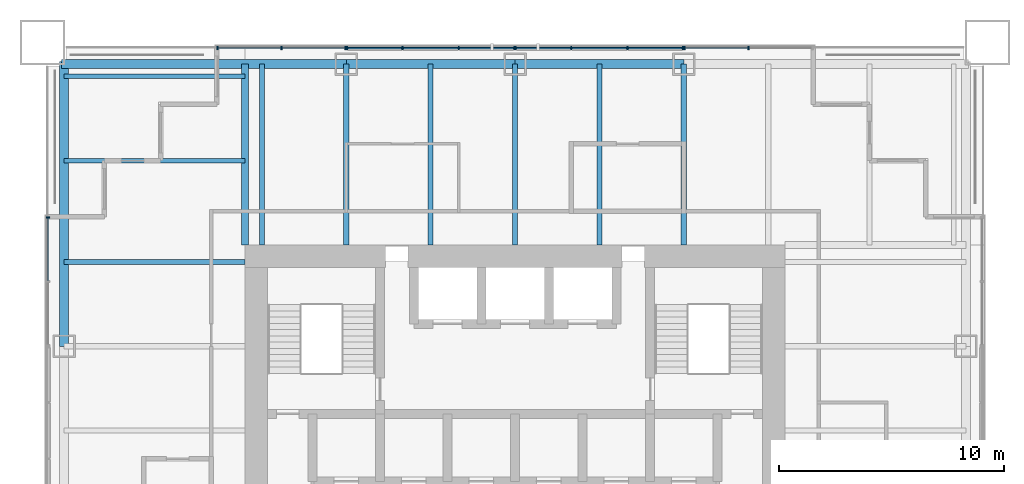
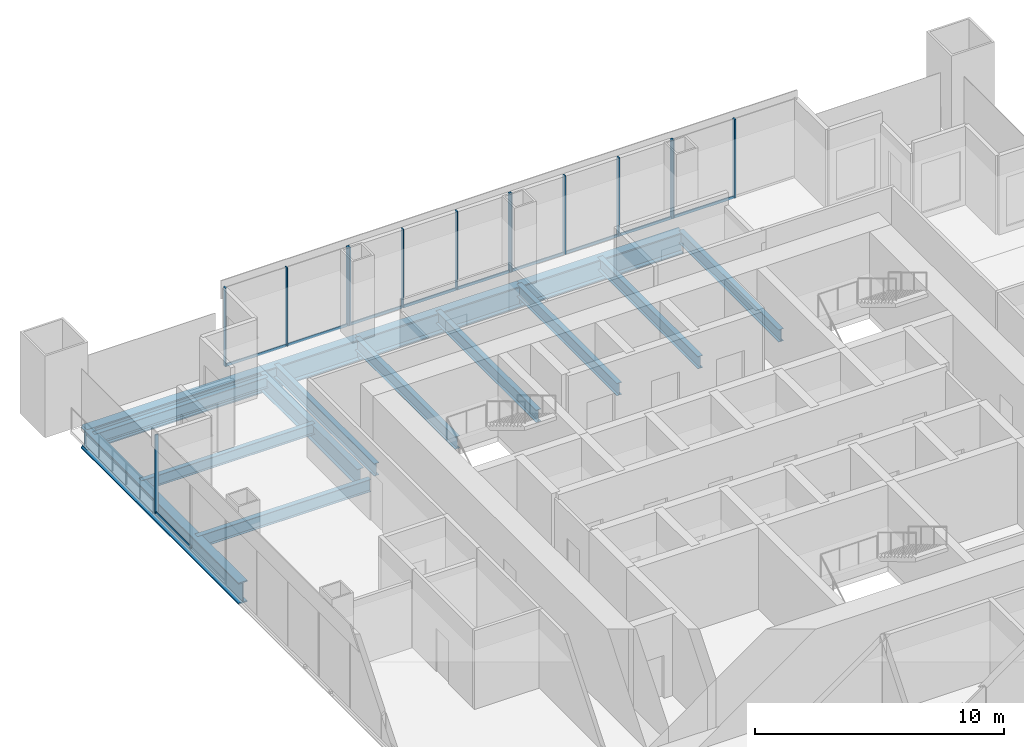
# One storey, part 6 of 14: 24 members, 14 beams, 5 elements without a shape of their own.
"""IFC4 building model written with IfcOpenShell, lengths in metres."""

from ifc_helpers import new_model, si_unit, direction, frame, origin, origin_2d, place, context, subcontext, project, spatial, rectangle, i_section, extrude, material, material_profile, profile_set, type_object, element, aggregate, save


model = new_model("IFC4")

# Units and contexts
model_context = context("Model", 3, precision=1e-05, world=origin(), true_north=direction((0.0, 1.0)))
body_context = subcontext(model_context, "Body", "Model", "MODEL_VIEW")
ifc_project = project(units=[si_unit("LENGTHUNIT", "METRE"), si_unit("AREAUNIT", "SQUARE_METRE"), si_unit("VOLUMEUNIT", "CUBIC_METRE"), si_unit("PLANEANGLEUNIT", "RADIAN"), si_unit("MASSUNIT", "GRAM", prefix="KILO")], contexts=[model_context])

# Site, building, storey
site_placement = place(None, origin())
site = spatial("IfcSite", under=ifc_project, at=site_placement, CompositionType="ELEMENT")
building_placement = place(site_placement, origin())
building = spatial("IfcBuilding", under=site, at=building_placement, Name="Tarangal Relay Tower", CompositionType="ELEMENT")
storey_placement = place(building_placement, frame((0.0, 0.0, 279.89990234375)))
storey = spatial("IfcBuildingStorey", under=building, at=storey_placement, Name="L61", CompositionType="ELEMENT", Elevation=279.89990234375)

# Beams
ifc_material_1 = material(Name="Steel ASTM A992", Category="steel")
ifc_material_profile_1 = material_profile(ifc_material_1, i_section(OverallWidth=0.209228515625, OverallDepth=0.533447265625, WebThickness=0.01025390625, FlangeThickness=0.015625, at=origin_2d()), Name="W21X62")
ifc_profile_set_1 = profile_set([ifc_material_profile_1], Name="Steel ASTM A992")
beam_type_1 = type_object("IfcBeamType", Name="Corner beam W21X62", PredefinedType="JOIST", material=ifc_profile_set_1)
for number, where, z_axis, x_axis, name in (
    (1, (-12.0, 15.75, -0.41650390625), (-1.0, 0.0, 0.0), (0.0, -1.0, 0.0), "Corner beam CB12 W L61"),
    (2, (-12.0, 19.5, -0.41650390625), (-1.0, 0.0, 0.0), (0.0, -1.0, 0.0), "Corner beam CB12 W L61"),
):
    element("IfcBeam", number, at=place(storey_placement, frame(where, z_axis=z_axis, x_axis=x_axis)), inside=storey, type_object=beam_type_1, Name=name, PredefinedType="JOIST", context=body_context, shape_type="SweptSolid", body=[
        extrude(i_section(OverallWidth=0.209228515625, OverallDepth=0.533447265625, WebThickness=0.01025390625, FlangeThickness=0.015625, at=origin_2d()), origin(), (0.0, 0.0, 1.0), 8.0400390625),
    ])
ifc_material_profile_2 = material_profile(ifc_material_1, i_section(OverallWidth=0.2919921875, OverallDepth=0.8408203125, WebThickness=0.0146484375, FlangeThickness=0.021728515625, at=origin_2d()), Name="W33X130")
ifc_profile_set_2 = profile_set([ifc_material_profile_2], Name="Steel ASTM A992")
beam_type_2 = type_object("IfcBeamType", Name="Corner girder W33X130", PredefinedType="BEAM", material=ifc_profile_set_2)
beam_1_placement = place(storey_placement, frame((-12.0, 12.0, -0.5703125), z_axis=(0.0, 1.0, 0.0), x_axis=(-1.0, 0.0, 0.0)))
element("IfcBeam", 3, at=beam_1_placement, inside=storey, type_object=beam_type_2, Name="Corner girder CG5 W L61", PredefinedType="BEAM", context=body_context, shape_type="SweptSolid", body=[
    extrude(i_section(OverallWidth=0.2919921875, OverallDepth=0.8408203125, WebThickness=0.0146484375, FlangeThickness=0.021728515625, at=origin_2d()), origin(), (0.0, 0.0, 1.0), 8.0400390625),
])
ifc_material_profile_3 = material_profile(ifc_material_1, i_section(OverallWidth=0.41162109375, OverallDepth=1.049072265625, WebThickness=0.033935546875, FlangeThickness=0.059814453125, at=origin_2d()), Name="W40X431")
ifc_profile_set_3 = profile_set([ifc_material_profile_3], Name="Steel ASTM A992")
beam_type_3 = type_object("IfcBeamType", Name="Edge girder W40X431", PredefinedType="SPANDREL", material=ifc_profile_set_3)
beam_2_placement = place(storey_placement, frame((-20.14990234375, 20.0400390625, -0.67431640625), z_axis=(1.0, 0.0, 0.0), x_axis=(0.0, 1.0, 0.0)))
element("IfcBeam", 4, at=beam_2_placement, inside=storey, type_object=beam_type_3, Name="Edge girder EG1 N L61", PredefinedType="SPANDREL", context=body_context, shape_type="SweptSolid", body=[
    extrude(i_section(OverallWidth=0.41162109375, OverallDepth=1.049072265625, WebThickness=0.033935546875, FlangeThickness=0.059814453125, at=origin_2d()), origin(), (0.0, 0.0, 1.0), 12.64990234375),
])
for number, where, z_axis, x_axis, name in (
    (5, (-7.5, 20.0400390625, -0.67431640625), (1.0, 0.0, 0.0), (0.0, 1.0, 0.0), "Edge girder EG1 N L61"),
    (6, (0.0, 20.0400390625, -0.67431640625), (1.0, 0.0, 0.0), (0.0, 1.0, 0.0), "Edge girder EG1 N L61"),
):
    element("IfcBeam", number, at=place(storey_placement, frame(where, z_axis=z_axis, x_axis=x_axis)), inside=storey, type_object=beam_type_3, Name=name, PredefinedType="SPANDREL", context=body_context, shape_type="SweptSolid", body=[
        extrude(i_section(OverallWidth=0.41162109375, OverallDepth=1.049072265625, WebThickness=0.033935546875, FlangeThickness=0.059814453125, at=origin_2d()), origin(), (0.0, 0.0, 1.0), 7.5),
    ])
beam_3_placement = place(storey_placement, frame((-20.0400390625, 7.5, -0.67431640625), z_axis=(0.0, 1.0, 0.0), x_axis=(-1.0, 0.0, 0.0)))
element("IfcBeam", 7, at=beam_3_placement, inside=storey, type_object=beam_type_3, Name="Edge girder EG1 W L61", PredefinedType="SPANDREL", context=body_context, shape_type="SweptSolid", body=[
    extrude(i_section(OverallWidth=0.41162109375, OverallDepth=1.049072265625, WebThickness=0.033935546875, FlangeThickness=0.059814453125, at=origin_2d()), origin(), (0.0, 0.0, 1.0), 12.64990234375),
])
ifc_material_profile_4 = material_profile(ifc_material_1, i_section(OverallWidth=0.228271484375, OverallDepth=0.607177734375, WebThickness=0.01123046875, FlangeThickness=0.017333984375, at=origin_2d()), Name="W24X76")
ifc_profile_set_4 = profile_set([ifc_material_profile_4], Name="Steel ASTM A992")
beam_type_4 = type_object("IfcBeamType", Name="Floor beam W24X76", PredefinedType="BEAM", material=ifc_profile_set_4)
for number, where, z_axis, x_axis, name in (
    (8, (-11.25, 12.0, -0.453369140625), (0.0, 1.0, 0.0), (-1.0, 0.0, 0.0), "Floor beam RB5 N L61"),
    (9, (-7.5, 12.0, -0.453369140625), (0.0, 1.0, 0.0), (-1.0, 0.0, 0.0), "Floor beam RB5 N L61"),
    (10, (-3.75, 12.0, -0.453369140625), (0.0, 1.0, 0.0), (-1.0, 0.0, 0.0), "Floor beam RB5 N L61"),
    (11, (0.0, 12.0, -0.453369140625), (0.0, 1.0, 0.0), (-1.0, 0.0, 0.0), "Floor beam RB5 N L61"),
    (12, (3.75, 12.0, -0.453369140625), (0.0, 1.0, 0.0), (-1.0, 0.0, 0.0), "Floor beam RB5 N L61"),
    (13, (7.5, 12.0, -0.453369140625), (0.0, 1.0, 0.0), (-1.0, 0.0, 0.0), "Floor beam RB5 N L61"),
    (14, (-12.0, 11.25, -0.453369140625), (-1.0, 0.0, 0.0), (0.0, -1.0, 0.0), "Floor beam RB5 W L61"),
):
    element("IfcBeam", number, at=place(storey_placement, frame(where, z_axis=z_axis, x_axis=x_axis)), inside=storey, type_object=beam_type_4, Name=name, PredefinedType="BEAM", context=body_context, shape_type="SweptSolid", body=[
        extrude(i_section(OverallWidth=0.228271484375, OverallDepth=0.607177734375, WebThickness=0.01123046875, FlangeThickness=0.017333984375, at=origin_2d()), origin(), (0.0, 0.0, 1.0), 8.0400390625),
    ])

# Curtain wall, members
ifc_material_2 = material(Name="Unitised curtain wall, dark glass and black aluminium", Category="aluminium")
curtain_wall_type_1 = type_object("IfcCurtainWallType", Name="Curtain wall CW-B", PredefinedType="USERDEFINED", material=ifc_material_2)
curtain_wall_1_placement = place(storey_placement, origin())
curtain_wall_1 = element("IfcCurtainWall", 15, at=curtain_wall_1_placement, inside=storey, type_object=curtain_wall_type_1, Name="Curtain wall CW-B N facade L61", ObjectType="UNITISED CURTAIN WALL", PredefinedType="USERDEFINED")
ifc_material_3 = material(Name="Black anodised aluminium mullion", Category="aluminium")
ifc_material_profile_5 = material_profile(ifc_material_3, rectangle(XDim=0.159912109375, YDim=0.06005859375, at=origin_2d()), Name="CW-BM 60X160")
ifc_profile_set_5 = profile_set([ifc_material_profile_5], Name="Black anodised aluminium mullion")
member_type_1 = type_object("IfcMemberType", Name="Mullion CW-B 60 x 160", PredefinedType="MULLION", material=ifc_profile_set_5)
member_1_placement = place(storey_placement, frame((-13.219970703125, 20.75, 0.0), z_axis=(0.0, 0.0, 1.0), x_axis=(0.0, 1.0, 0.0)))
member_1 = element("IfcMember", 16, at=member_1_placement, type_object=member_type_1, Name="CW-B mullion 1", PredefinedType="MULLION", context=body_context, shape_type="SweptSolid", body=[
    extrude(rectangle(XDim=0.159912109375, YDim=0.06005859375, at=origin_2d()), origin(), (0.0, 0.0, 1.0), 3.85009765625),
])
member_2_placement = place(storey_placement, frame((-10.375, 20.75, 0.0), z_axis=(0.0, 0.0, 1.0), x_axis=(0.0, 1.0, 0.0)))
member_2 = element("IfcMember", 17, at=member_2_placement, type_object=member_type_1, Name="CW-B mullion 2", PredefinedType="MULLION", context=body_context, shape_type="SweptSolid", body=[
    extrude(rectangle(XDim=0.159912109375, YDim=0.06005859375, at=origin_2d()), origin(), (0.0, 0.0, 1.0), 3.85009765625),
])
member_3_placement = place(storey_placement, frame((-7.530029296875, 20.75, 0.0), z_axis=(0.0, 0.0, 1.0), x_axis=(0.0, 1.0, 0.0)))
member_3 = element("IfcMember", 18, at=member_3_placement, type_object=member_type_1, Name="CW-B mullion 3", PredefinedType="MULLION", context=body_context, shape_type="SweptSolid", body=[
    extrude(rectangle(XDim=0.159912109375, YDim=0.06005859375, at=origin_2d()), origin(), (0.0, 0.0, 1.0), 3.85009765625),
])

curtain_wall_2_placement = place(storey_placement, origin())
curtain_wall_2 = element("IfcCurtainWall", 19, at=curtain_wall_2_placement, inside=storey, type_object=curtain_wall_type_1, Name="Curtain wall CW-B N facade L61", ObjectType="UNITISED CURTAIN WALL", PredefinedType="USERDEFINED")
member_4_placement = place(storey_placement, frame((7.530029296875, 20.75, 0.0), z_axis=(0.0, 0.0, 1.0), x_axis=(0.0, 1.0, 0.0)))
member_4 = element("IfcMember", 20, at=member_4_placement, type_object=member_type_1, Name="CW-B mullion 1", PredefinedType="MULLION", context=body_context, shape_type="SweptSolid", body=[
    extrude(rectangle(XDim=0.159912109375, YDim=0.06005859375, at=origin_2d()), origin(), (0.0, 0.0, 1.0), 3.85009765625),
])
member_5_placement = place(storey_placement, frame((10.375, 20.75, 0.0), z_axis=(0.0, 0.0, 1.0), x_axis=(0.0, 1.0, 0.0)))
member_5 = element("IfcMember", 21, at=member_5_placement, type_object=member_type_1, Name="CW-B mullion 2", PredefinedType="MULLION", context=body_context, shape_type="SweptSolid", body=[
    extrude(rectangle(XDim=0.159912109375, YDim=0.06005859375, at=origin_2d()), origin(), (0.0, 0.0, 1.0), 3.85009765625),
])

# Curtain wall, member
curtain_wall_3_placement = place(storey_placement, origin())
curtain_wall_3 = element("IfcCurtainWall", 22, at=curtain_wall_3_placement, inside=storey, type_object=curtain_wall_type_1, Name="Curtain wall CW-B W facade L61", ObjectType="UNITISED CURTAIN WALL", PredefinedType="USERDEFINED")
member_6_placement = place(storey_placement, frame((-20.75, 13.219970703125, 0.0), z_axis=(0.0, 0.0, 1.0), x_axis=(-1.0, 0.0, 0.0)))
member_6 = element("IfcMember", 23, at=member_6_placement, type_object=member_type_1, Name="CW-B mullion 3", PredefinedType="MULLION", context=body_context, shape_type="SweptSolid", body=[
    extrude(rectangle(XDim=0.159912109375, YDim=0.06005859375, at=origin_2d()), origin(), (0.0, 0.0, 1.0), 3.85009765625),
])

# Curtain wall, members
ifc_material_4 = material(Name="Unitised curtain wall frame, black aluminium, with metal clad infill walls", Category="aluminium")
curtain_wall_type_2 = type_object("IfcCurtainWallType", Name="Curtain wall CW-BO", PredefinedType="USERDEFINED", material=ifc_material_4)
curtain_wall_4_placement = place(storey_placement, origin())
curtain_wall_4 = element("IfcCurtainWall", 24, at=curtain_wall_4_placement, inside=storey, type_object=curtain_wall_type_2, Name="Curtain wall CW-BO N facade L61", ObjectType="UNITISED CURTAIN WALL", PredefinedType="USERDEFINED")
ifc_material_profile_6 = material_profile(ifc_material_3, rectangle(XDim=0.159912109375, YDim=0.06005859375, at=origin_2d()), Name="CW-BOM 60X160")
ifc_profile_set_6 = profile_set([ifc_material_profile_6], Name="Black anodised aluminium mullion")
member_type_2 = type_object("IfcMemberType", Name="Mullion CW-BO 60 x 160", PredefinedType="MULLION", material=ifc_profile_set_6)
member_7_placement = place(storey_placement, frame((-7.469970703125, 20.75, 0.0), z_axis=(0.0, 0.0, 1.0), x_axis=(0.0, 1.0, 0.0)))
member_7 = element("IfcMember", 25, at=member_7_placement, type_object=member_type_2, Name="CW-BO mullion 1", PredefinedType="MULLION", context=body_context, shape_type="SweptSolid", body=[
    extrude(rectangle(XDim=0.159912109375, YDim=0.06005859375, at=origin_2d()), origin(), (0.0, 0.0, 1.0), 3.85009765625),
])
member_8_placement = place(storey_placement, frame((-5.0, 20.75, 0.0), z_axis=(0.0, 0.0, 1.0), x_axis=(0.0, 1.0, 0.0)))
member_8 = element("IfcMember", 26, at=member_8_placement, type_object=member_type_2, Name="CW-BO mullion 2", PredefinedType="MULLION", context=body_context, shape_type="SweptSolid", body=[
    extrude(rectangle(XDim=0.159912109375, YDim=0.06005859375, at=origin_2d()), origin(), (0.0, 0.0, 1.0), 3.85009765625),
])
member_9_placement = place(storey_placement, frame((-2.5, 20.75, 0.0), z_axis=(0.0, 0.0, 1.0), x_axis=(0.0, 1.0, 0.0)))
member_9 = element("IfcMember", 27, at=member_9_placement, type_object=member_type_2, Name="CW-BO mullion 3", PredefinedType="MULLION", context=body_context, shape_type="SweptSolid", body=[
    extrude(rectangle(XDim=0.159912109375, YDim=0.06005859375, at=origin_2d()), origin(), (0.0, 0.0, 1.0), 3.85009765625),
])
member_10_placement = place(storey_placement, frame((-0.030029296875, 20.75, 0.0), z_axis=(0.0, 0.0, 1.0), x_axis=(0.0, 1.0, 0.0)))
member_10 = element("IfcMember", 28, at=member_10_placement, type_object=member_type_2, Name="CW-BO mullion 4", PredefinedType="MULLION", context=body_context, shape_type="SweptSolid", body=[
    extrude(rectangle(XDim=0.159912109375, YDim=0.06005859375, at=origin_2d()), origin(), (0.0, 0.0, 1.0), 3.85009765625),
])

curtain_wall_5_placement = place(storey_placement, origin())
curtain_wall_5 = element("IfcCurtainWall", 29, at=curtain_wall_5_placement, inside=storey, type_object=curtain_wall_type_2, Name="Curtain wall CW-BO N facade L61", ObjectType="UNITISED CURTAIN WALL", PredefinedType="USERDEFINED")
member_11_placement = place(storey_placement, frame((0.030029296875, 20.75, 0.0), z_axis=(0.0, 0.0, 1.0), x_axis=(0.0, 1.0, 0.0)))
member_11 = element("IfcMember", 30, at=member_11_placement, type_object=member_type_2, Name="CW-BO mullion 1", PredefinedType="MULLION", context=body_context, shape_type="SweptSolid", body=[
    extrude(rectangle(XDim=0.159912109375, YDim=0.06005859375, at=origin_2d()), origin(), (0.0, 0.0, 1.0), 3.85009765625),
])
member_12_placement = place(storey_placement, frame((2.5, 20.75, 0.0), z_axis=(0.0, 0.0, 1.0), x_axis=(0.0, 1.0, 0.0)))
member_12 = element("IfcMember", 31, at=member_12_placement, type_object=member_type_2, Name="CW-BO mullion 2", PredefinedType="MULLION", context=body_context, shape_type="SweptSolid", body=[
    extrude(rectangle(XDim=0.159912109375, YDim=0.06005859375, at=origin_2d()), origin(), (0.0, 0.0, 1.0), 3.85009765625),
])
member_13_placement = place(storey_placement, frame((5.0, 20.75, 0.0), z_axis=(0.0, 0.0, 1.0), x_axis=(0.0, 1.0, 0.0)))
member_13 = element("IfcMember", 32, at=member_13_placement, type_object=member_type_2, Name="CW-BO mullion 3", PredefinedType="MULLION", context=body_context, shape_type="SweptSolid", body=[
    extrude(rectangle(XDim=0.159912109375, YDim=0.06005859375, at=origin_2d()), origin(), (0.0, 0.0, 1.0), 3.85009765625),
])
member_14_placement = place(storey_placement, frame((7.469970703125, 20.75, 0.0), z_axis=(0.0, 0.0, 1.0), x_axis=(0.0, 1.0, 0.0)))
member_14 = element("IfcMember", 33, at=member_14_placement, type_object=member_type_2, Name="CW-BO mullion 4", PredefinedType="MULLION", context=body_context, shape_type="SweptSolid", body=[
    extrude(rectangle(XDim=0.159912109375, YDim=0.06005859375, at=origin_2d()), origin(), (0.0, 0.0, 1.0), 3.85009765625),
])

# Member
ifc_material_5 = material(Name="Black anodised aluminium transom", Category="aluminium")
ifc_material_profile_7 = material_profile(ifc_material_5, rectangle(XDim=0.06005859375, YDim=0.1298828125, at=origin_2d()), Name="CW-BT 60X130")
ifc_profile_set_7 = profile_set([ifc_material_profile_7], Name="Black anodised aluminium transom")
member_type_3 = type_object("IfcMemberType", Name="Transom CW-B 60 x 130", PredefinedType="USERDEFINED", material=ifc_profile_set_7)
member_15_placement = place(storey_placement, frame((-13.18994140625, 20.75, 0.030029296875), z_axis=(1.0, 0.0, 0.0), x_axis=(0.0, 1.0, 0.0)))
member_15 = element("IfcMember", 34, at=member_15_placement, type_object=member_type_3, Name="CW-B transom 1.1", ObjectType="TRANSOM", PredefinedType="USERDEFINED", context=body_context, shape_type="SweptSolid", body=[
    extrude(rectangle(XDim=0.06005859375, YDim=0.1298828125, at=origin_2d()), origin(), (0.0, 0.0, 1.0), 2.784912109375),
])

member_16_placement = place(storey_placement, frame((-10.344970703125, 20.75, 0.030029296875), z_axis=(1.0, 0.0, 0.0), x_axis=(0.0, 1.0, 0.0)))
member_16 = element("IfcMember", 35, at=member_16_placement, type_object=member_type_3, Name="CW-B transom 2.1", ObjectType="TRANSOM", PredefinedType="USERDEFINED", context=body_context, shape_type="SweptSolid", body=[
    extrude(rectangle(XDim=0.06005859375, YDim=0.1298828125, at=origin_2d()), origin(), (0.0, 0.0, 1.0), 2.784912109375),
])

aggregate(curtain_wall_1, [member_1, member_2, member_3, member_15, member_16])

member_17_placement = place(storey_placement, frame((7.56005859375, 20.75, 0.030029296875), z_axis=(1.0, 0.0, 0.0), x_axis=(0.0, 1.0, 0.0)))
member_17 = element("IfcMember", 36, at=member_17_placement, type_object=member_type_3, Name="CW-B transom 1.1", ObjectType="TRANSOM", PredefinedType="USERDEFINED", context=body_context, shape_type="SweptSolid", body=[
    extrude(rectangle(XDim=0.06005859375, YDim=0.1298828125, at=origin_2d()), origin(), (0.0, 0.0, 1.0), 2.784912109375),
])

aggregate(curtain_wall_2, [member_4, member_5, member_17])

member_18_placement = place(storey_placement, frame((-20.75, 10.405029296875, 0.030029296875), z_axis=(0.0, 1.0, 0.0), x_axis=(-1.0, 0.0, 0.0)))
member_18 = element("IfcMember", 37, at=member_18_placement, type_object=member_type_3, Name="CW-B transom 2.1", ObjectType="TRANSOM", PredefinedType="USERDEFINED", context=body_context, shape_type="SweptSolid", body=[
    extrude(rectangle(XDim=0.06005859375, YDim=0.1298828125, at=origin_2d()), origin(), (0.0, 0.0, 1.0), 2.784912109375),
])

aggregate(curtain_wall_3, [member_6, member_18])

ifc_material_profile_8 = material_profile(ifc_material_5, rectangle(XDim=0.06005859375, YDim=0.1298828125, at=origin_2d()), Name="CW-BOT 60X130")
ifc_profile_set_8 = profile_set([ifc_material_profile_8], Name="Black anodised aluminium transom")
member_type_4 = type_object("IfcMemberType", Name="Transom CW-BO 60 x 130", PredefinedType="USERDEFINED", material=ifc_profile_set_8)
member_19_placement = place(storey_placement, frame((-7.43994140625, 20.75, 0.030029296875), z_axis=(1.0, 0.0, 0.0), x_axis=(0.0, 1.0, 0.0)))
member_19 = element("IfcMember", 38, at=member_19_placement, type_object=member_type_4, Name="CW-BO transom 1.1", ObjectType="TRANSOM", PredefinedType="USERDEFINED", context=body_context, shape_type="SweptSolid", body=[
    extrude(rectangle(XDim=0.06005859375, YDim=0.1298828125, at=origin_2d()), origin(), (0.0, 0.0, 1.0), 2.409912109375),
])

member_20_placement = place(storey_placement, frame((-4.969970703125, 20.75, 0.030029296875), z_axis=(1.0, 0.0, 0.0), x_axis=(0.0, 1.0, 0.0)))
member_20 = element("IfcMember", 39, at=member_20_placement, type_object=member_type_4, Name="CW-BO transom 2.1", ObjectType="TRANSOM", PredefinedType="USERDEFINED", context=body_context, shape_type="SweptSolid", body=[
    extrude(rectangle(XDim=0.06005859375, YDim=0.1298828125, at=origin_2d()), origin(), (0.0, 0.0, 1.0), 2.43994140625),
])

member_21_placement = place(storey_placement, frame((-2.469970703125, 20.75, 0.030029296875), z_axis=(1.0, 0.0, 0.0), x_axis=(0.0, 1.0, 0.0)))
member_21 = element("IfcMember", 40, at=member_21_placement, type_object=member_type_4, Name="CW-BO transom 3.1", ObjectType="TRANSOM", PredefinedType="USERDEFINED", context=body_context, shape_type="SweptSolid", body=[
    extrude(rectangle(XDim=0.06005859375, YDim=0.1298828125, at=origin_2d()), origin(), (0.0, 0.0, 1.0), 2.409912109375),
])

aggregate(curtain_wall_4, [member_7, member_8, member_9, member_10, member_19, member_20, member_21])

member_22_placement = place(storey_placement, frame((0.06005859375, 20.75, 0.030029296875), z_axis=(1.0, 0.0, 0.0), x_axis=(0.0, 1.0, 0.0)))
member_22 = element("IfcMember", 41, at=member_22_placement, type_object=member_type_4, Name="CW-BO transom 1.1", ObjectType="TRANSOM", PredefinedType="USERDEFINED", context=body_context, shape_type="SweptSolid", body=[
    extrude(rectangle(XDim=0.06005859375, YDim=0.1298828125, at=origin_2d()), origin(), (0.0, 0.0, 1.0), 2.409912109375),
])

member_23_placement = place(storey_placement, frame((2.530029296875, 20.75, 0.030029296875), z_axis=(1.0, 0.0, 0.0), x_axis=(0.0, 1.0, 0.0)))
member_23 = element("IfcMember", 42, at=member_23_placement, type_object=member_type_4, Name="CW-BO transom 2.1", ObjectType="TRANSOM", PredefinedType="USERDEFINED", context=body_context, shape_type="SweptSolid", body=[
    extrude(rectangle(XDim=0.06005859375, YDim=0.1298828125, at=origin_2d()), origin(), (0.0, 0.0, 1.0), 2.43994140625),
])

member_24_placement = place(storey_placement, frame((5.030029296875, 20.75, 0.030029296875), z_axis=(1.0, 0.0, 0.0), x_axis=(0.0, 1.0, 0.0)))
member_24 = element("IfcMember", 43, at=member_24_placement, type_object=member_type_4, Name="CW-BO transom 3.1", ObjectType="TRANSOM", PredefinedType="USERDEFINED", context=body_context, shape_type="SweptSolid", body=[
    extrude(rectangle(XDim=0.06005859375, YDim=0.1298828125, at=origin_2d()), origin(), (0.0, 0.0, 1.0), 2.409912109375),
])

aggregate(curtain_wall_5, [member_11, member_12, member_13, member_14, member_22, member_23, member_24])

save(model, "model.ifc")
